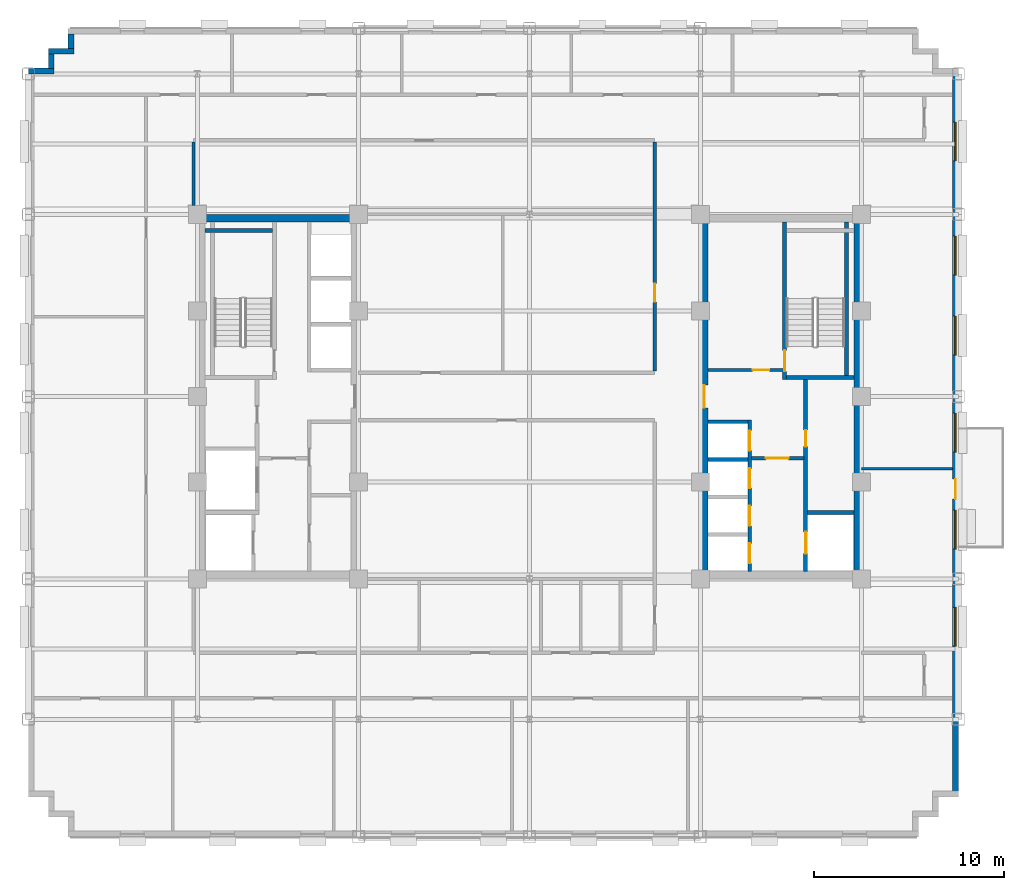
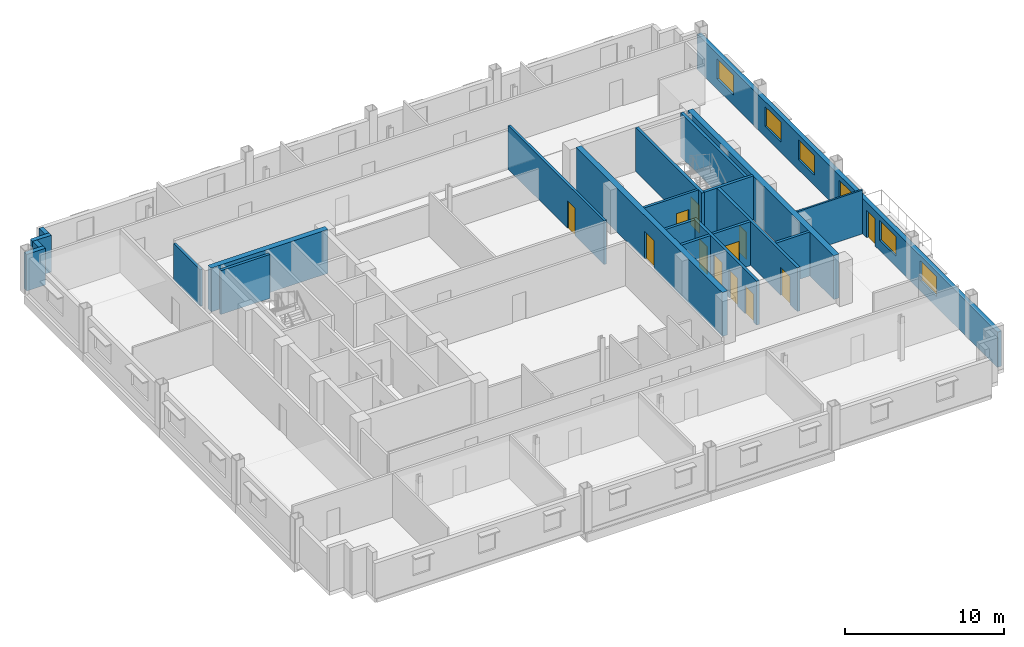
# One storey, part 9 of 14: 22 walls, 12 doors, 6 windows, 18 openings.
"""IFC4 building model written with IfcOpenShell, lengths in metres."""

from ifc_helpers import new_model, si_unit, direction, frame, frame_2d, origin, place, context, subcontext, project, spatial, rectangle, extrude, source, transform, mapped, material, layer, layer_set, type_object, type_shapes, element, fill, save


model = new_model("IFC4")

# Units and contexts
model_context = context("Model", 3, precision=1e-05, world=origin(), true_north=direction((0.0, 1.0)))
body_context = subcontext(model_context, "Body", "Model", "MODEL_VIEW")
ifc_project = project(units=[si_unit("LENGTHUNIT", "METRE"), si_unit("AREAUNIT", "SQUARE_METRE"), si_unit("VOLUMEUNIT", "CUBIC_METRE"), si_unit("PLANEANGLEUNIT", "RADIAN"), si_unit("MASSUNIT", "GRAM", prefix="KILO")], contexts=[model_context])

# Site, building, storey
site_placement = place(None, origin())
site = spatial("IfcSite", under=ifc_project, at=site_placement, CompositionType="ELEMENT")
building_placement = place(site_placement, origin())
building = spatial("IfcBuilding", under=site, at=building_placement, Name="Nuvemarco Arch Tower", CompositionType="ELEMENT")
storey_placement = place(building_placement, frame((0.0, 0.0, 178.60009765625)))
storey = spatial("IfcBuildingStorey", under=building, at=storey_placement, Name="L47", CompositionType="ELEMENT", Elevation=178.60009765625)

# Wall, openings, door, windows
ifc_material_1 = material(Name="Precast concrete C45/55", Category="concrete")
ifc_layer_1 = layer(ifc_material_1, 0.31005859375, Name="EW-UPP-310")
ifc_layer_set_1 = layer_set([ifc_layer_1], Name="Precast concrete C45/55")
wall_type_1 = type_object("IfcWallType", Name="EW-UPP-310", PredefinedType="STANDARD", material=ifc_layer_set_1)
wall_1_placement = place(storey_placement, frame((22.445068359375, -20.7939453125, 0.0), z_axis=(0.0, 0.0, 1.0), x_axis=(0.0, 1.0, 0.0)))
wall_1 = element("IfcWall", 1, at=wall_1_placement, inside=storey, type_object=wall_type_1, Name="L47 exterior precast facade wall 6", PredefinedType="STANDARD", context=body_context, shape_type="SweptSolid", body=[
    extrude(rectangle(XDim=37.787841796875, YDim=0.31005859375, at=frame_2d((18.89404296875, 0.0))), origin(), (0.0, 0.0, 1.0), 2.704833984375),
])
opening_1_placement = place(wall_1_placement, frame((16.444091796875, 0.0, 0.0), z_axis=(0.0, 0.0, 1.0), x_axis=(-1.0, 0.0, 0.0)))
opening_1 = element("IfcOpeningElement", 2, at=opening_1_placement, cuts=wall_1, Name="Opening ED-5", PredefinedType="OPENING", context=body_context, shape_type="SweptSolid", body=[
    extrude(rectangle(XDim=1.050048828125, YDim=2.10009765625, at=frame_2d((0.52490234375, 1.050048828125))), frame((0.0, 0.1650390625, 0.0), z_axis=(0.0, -1.0, 0.0), x_axis=(1.0, 0.0, 0.0)), (0.0, 0.0, 1.0), 0.330078125),
])
opening_2_placement = place(wall_1_placement, frame((7.643798828125, 0.0, 0.800048828125)))
opening_2 = element("IfcOpeningElement", 3, at=opening_2_placement, cuts=wall_1, Name="Opening WN-12", PredefinedType="OPENING", context=body_context, shape_type="SweptSolid", body=[
    extrude(rectangle(XDim=2.050048828125, YDim=1.52001953125, at=frame_2d((1.02490234375, 0.760009765625))), frame((0.0, 0.1650390625, 0.0), z_axis=(0.0, -1.0, 0.0), x_axis=(1.0, 0.0, 0.0)), (0.0, 0.0, 1.0), 0.330078125),
])
opening_3_placement = place(wall_1_placement, frame((12.75634765625, 0.0, 0.800048828125)))
opening_3 = element("IfcOpeningElement", 4, at=opening_3_placement, cuts=wall_1, Name="Opening WN-12", PredefinedType="OPENING", context=body_context, shape_type="SweptSolid", body=[
    extrude(rectangle(XDim=2.050048828125, YDim=1.52001953125, at=frame_2d((1.02490234375, 0.760009765625))), frame((0.0, 0.1650390625, 0.0), z_axis=(0.0, -1.0, 0.0), x_axis=(1.0, 0.0, 0.0)), (0.0, 0.0, 1.0), 0.330078125),
])
opening_4_placement = place(wall_1_placement, frame((17.868896484375, 0.0, 0.800048828125)))
opening_4 = element("IfcOpeningElement", 5, at=opening_4_placement, cuts=wall_1, Name="Opening WN-12", PredefinedType="OPENING", context=body_context, shape_type="SweptSolid", body=[
    extrude(rectangle(XDim=2.050048828125, YDim=1.52001953125, at=frame_2d((1.02490234375, 0.760009765625))), frame((0.0, 0.1650390625, 0.0), z_axis=(0.0, -1.0, 0.0), x_axis=(1.0, 0.0, 0.0)), (0.0, 0.0, 1.0), 0.330078125),
])
opening_5_placement = place(wall_1_placement, frame((22.981689453125, 0.0, 0.800048828125)))
opening_5 = element("IfcOpeningElement", 6, at=opening_5_placement, cuts=wall_1, Name="Opening WN-12", PredefinedType="OPENING", context=body_context, shape_type="SweptSolid", body=[
    extrude(rectangle(XDim=2.050048828125, YDim=1.52001953125, at=frame_2d((1.02490234375, 0.760009765625))), frame((0.0, 0.1650390625, 0.0), z_axis=(0.0, -1.0, 0.0), x_axis=(1.0, 0.0, 0.0)), (0.0, 0.0, 1.0), 0.330078125),
])
opening_6_placement = place(wall_1_placement, frame((27.194091796875, 0.0, 0.800048828125)))
opening_6 = element("IfcOpeningElement", 7, at=opening_6_placement, cuts=wall_1, Name="Opening WN-12", PredefinedType="OPENING", context=body_context, shape_type="SweptSolid", body=[
    extrude(rectangle(XDim=2.050048828125, YDim=1.52001953125, at=frame_2d((1.02490234375, 0.760009765625))), frame((0.0, 0.1650390625, 0.0), z_axis=(0.0, -1.0, 0.0), x_axis=(1.0, 0.0, 0.0)), (0.0, 0.0, 1.0), 0.330078125),
])
opening_7_placement = place(wall_1_placement, frame((33.206787109375, 0.0, 0.800048828125)))
opening_7 = element("IfcOpeningElement", 8, at=opening_7_placement, cuts=wall_1, Name="Opening WN-12", PredefinedType="OPENING", context=body_context, shape_type="SweptSolid", body=[
    extrude(rectangle(XDim=2.050048828125, YDim=1.52001953125, at=frame_2d((1.02490234375, 0.760009765625))), frame((0.0, 0.1650390625, 0.0), z_axis=(0.0, -1.0, 0.0), x_axis=(1.0, 0.0, 0.0)), (0.0, 0.0, 1.0), 0.330078125),
])
ifc_material_2 = material(Name="Anodised bronze and laminated glass", Category="glass")
door_type_1 = type_object("IfcDoorType", Name="DR-EXT-TERR", OperationType="NOTDEFINED", PredefinedType="DOOR", material=ifc_material_2)
shared_shape_1 = source(origin(), body_context, "Body", "SweptSolid", [
    extrude(rectangle(XDim=1.050048828125, YDim=2.10009765625, at=frame_2d((0.52490234375, 1.050048828125))), frame((0.0, 0.02490234375, 0.0), z_axis=(0.0, -1.0, 0.0), x_axis=(1.0, 0.0, 0.0)), (0.0, 0.0, 1.0), 0.050048828125),
])
type_shapes(door_type_1, [shared_shape_1])
door_1_placement = place(opening_1_placement, origin())
door_1 = element("IfcDoor", 9, at=door_1_placement, inside=storey, type_object=door_type_1, Name="L47 spiral terrace access door", OperationType="SINGLE_SWING_LEFT", OverallHeight=2.10009765625, OverallWidth=1.050048828125, PredefinedType="DOOR", context=body_context, shape_type="MappedRepresentation", body=[
    mapped(shared_shape_1, transform((0.0, 0.0, 0.0), scale=1.0)),
])
fill(opening_1, door_1)
ifc_material_3 = material(Name="Insulated solar-control glass", Category="glass")
window_type = type_object("IfcWindowType", Name="WN-SET-2050x1520", PartitioningType="DOUBLE_PANEL_VERTICAL", PredefinedType="WINDOW", material=ifc_material_3)
shared_shape_2 = source(origin(), body_context, "Body", "SweptSolid", [
    extrude(rectangle(XDim=2.050048828125, YDim=1.52001953125, at=frame_2d((1.02490234375, 0.760009765625))), frame((0.0, 0.030029296875, 0.0), z_axis=(0.0, -1.0, 0.0), x_axis=(1.0, 0.0, 0.0)), (0.0, 0.0, 1.0), 0.06005859375),
])
type_shapes(window_type, [shared_shape_2])
window_1_placement = place(opening_2_placement, origin())
window_1 = element("IfcWindow", 10, at=window_1_placement, inside=storey, type_object=window_type, Name="L47 punched facade window 2", OverallHeight=1.52001953125, OverallWidth=2.050048828125, PartitioningType="SINGLE_PANEL", PredefinedType="WINDOW", context=body_context, shape_type="MappedRepresentation", body=[
    mapped(shared_shape_2, transform((0.0, 0.0, 0.0), scale=1.0)),
])
fill(opening_2, window_1)
window_2_placement = place(opening_3_placement, origin())
window_2 = element("IfcWindow", 11, at=window_2_placement, inside=storey, type_object=window_type, Name="L47 punched facade window 3", OverallHeight=1.52001953125, OverallWidth=2.050048828125, PartitioningType="SINGLE_PANEL", PredefinedType="WINDOW", context=body_context, shape_type="MappedRepresentation", body=[
    mapped(shared_shape_2, transform((0.0, 0.0, 0.0), scale=1.0)),
])
fill(opening_3, window_2)
window_3_placement = place(opening_4_placement, origin())
window_3 = element("IfcWindow", 12, at=window_3_placement, inside=storey, type_object=window_type, Name="L47 punched facade window 4", OverallHeight=1.52001953125, OverallWidth=2.050048828125, PartitioningType="SINGLE_PANEL", PredefinedType="WINDOW", context=body_context, shape_type="MappedRepresentation", body=[
    mapped(shared_shape_2, transform((0.0, 0.0, 0.0), scale=1.0)),
])
fill(opening_4, window_3)
window_4_placement = place(opening_5_placement, origin())
window_4 = element("IfcWindow", 13, at=window_4_placement, inside=storey, type_object=window_type, Name="L47 punched facade window 5", OverallHeight=1.52001953125, OverallWidth=2.050048828125, PartitioningType="SINGLE_PANEL", PredefinedType="WINDOW", context=body_context, shape_type="MappedRepresentation", body=[
    mapped(shared_shape_2, transform((0.0, 0.0, 0.0), scale=1.0)),
])
fill(opening_5, window_4)
window_5_placement = place(opening_6_placement, origin())
window_5 = element("IfcWindow", 14, at=window_5_placement, inside=storey, type_object=window_type, Name="L47 punched facade window 6", OverallHeight=1.52001953125, OverallWidth=2.050048828125, PartitioningType="SINGLE_PANEL", PredefinedType="WINDOW", context=body_context, shape_type="MappedRepresentation", body=[
    mapped(shared_shape_2, transform((0.0, 0.0, 0.0), scale=1.0)),
])
fill(opening_6, window_5)
window_6_placement = place(opening_7_placement, origin())
window_6 = element("IfcWindow", 15, at=window_6_placement, inside=storey, type_object=window_type, Name="L47 punched facade window 7", OverallHeight=1.52001953125, OverallWidth=2.050048828125, PartitioningType="SINGLE_PANEL", PredefinedType="WINDOW", context=body_context, shape_type="MappedRepresentation", body=[
    mapped(shared_shape_2, transform((0.0, 0.0, 0.0), scale=1.0)),
])
fill(opening_7, window_6)

# Walls
wall_2_placement = place(storey_placement, frame((-24.14501953125, 18.345947265625, 0.0), z_axis=(0.0, 0.0, 1.0), x_axis=(0.0, 1.0, 0.0)))
element("IfcWall", 16, at=wall_2_placement, inside=storey, type_object=wall_type_1, Name="L47 exterior precast facade wall 12", PredefinedType="STANDARD", context=body_context, shape_type="SweptSolid", body=[
    extrude(rectangle(XDim=0.748046875, YDim=0.31005859375, at=frame_2d((0.3740234375, 0.0))), origin(), (0.0, 0.0, 1.0), 2.81591796875),
])
wall_3_placement = place(storey_placement, frame((-25.35009765625, 18.195068359375, 0.0), z_axis=(0.0, 0.0, 1.0), x_axis=(1.0, 0.0, 0.0)))
element("IfcWall", 17, at=wall_3_placement, inside=storey, type_object=wall_type_1, Name="L47 exterior precast facade wall 13", PredefinedType="STANDARD", context=body_context, shape_type="SweptSolid", body=[
    extrude(rectangle(XDim=1.360107421875, YDim=0.31005859375, at=frame_2d((0.68017578125, 0.0))), origin(), (0.0, 0.0, 1.0), 2.81591796875),
])
wall_4_placement = place(storey_placement, frame((-25.195068359375, 17.2958984375, 0.0), z_axis=(0.0, 0.0, 1.0), x_axis=(0.0, 1.0, 0.0)))
element("IfcWall", 18, at=wall_4_placement, inside=storey, type_object=wall_type_1, Name="L47 exterior precast facade wall 14", PredefinedType="STANDARD", context=body_context, shape_type="SweptSolid", body=[
    extrude(rectangle(XDim=0.748046875, YDim=0.31005859375, at=frame_2d((0.3740234375, 0.0))), origin(), (0.0, 0.0, 1.0), 2.81591796875),
])
wall_5_placement = place(storey_placement, frame((-26.39990234375, 17.14501953125, 0.0), z_axis=(0.0, 0.0, 1.0), x_axis=(1.0, 0.0, 0.0)))
element("IfcWall", 19, at=wall_5_placement, inside=storey, type_object=wall_type_1, Name="L47 exterior precast facade wall 15", PredefinedType="STANDARD", context=body_context, shape_type="SweptSolid", body=[
    extrude(rectangle(XDim=1.35986328125, YDim=0.31005859375, at=frame_2d((0.679931640625, 0.0))), origin(), (0.0, 0.0, 1.0), 2.81591796875),
])
ifc_material_4 = material(Name="Concrete C60/75", Category="concrete")
ifc_layer_2 = layer(ifc_material_4, 0.39990234375, Name="WL-CORE-400")
ifc_layer_set_2 = layer_set([ifc_layer_2], Name="Concrete C60/75")
wall_type_2 = type_object("IfcWallType", Name="WL-CORE-400", PredefinedType="SHEAR", material=ifc_layer_set_2)
wall_6_placement = place(storey_placement, frame((-17.5, 9.39990234375, 0.0), z_axis=(0.0, 0.0, 1.0), x_axis=(1.0, 0.0, 0.0)))
element("IfcWall", 20, at=wall_6_placement, inside=storey, type_object=wall_type_2, Name="L47 W-core shear wall N", PredefinedType="SHEAR", context=body_context, shape_type="SweptSolid", body=[
    extrude(rectangle(XDim=8.5, YDim=0.39990234375, at=frame_2d((4.25, 0.0))), origin(), (0.0, 0.0, 1.0), 3.369873046875),
])

# Wall, opening, door
wall_7_placement = place(storey_placement, frame((9.199951171875, -9.205078125, 0.0), z_axis=(0.0, 0.0, 1.0), x_axis=(0.0, 1.0, 0.0)))
wall_7 = element("IfcWall", 21, at=wall_7_placement, inside=storey, type_object=wall_type_2, Name="L47 E-core shear wall W", PredefinedType="SHEAR", context=body_context, shape_type="SweptSolid", body=[
    extrude(rectangle(XDim=18.41015625, YDim=0.39990234375, at=frame_2d((9.205078125, 0.0))), origin(), (0.0, 0.0, 1.0), 3.369873046875),
])
opening_8_placement = place(wall_7_placement, frame((8.60498046875, 0.0, 0.0)))
opening_8 = element("IfcOpeningElement", 22, at=opening_8_placement, cuts=wall_7, Name="Opening FD-2", PredefinedType="OPENING", context=body_context, shape_type="SweptSolid", body=[
    extrude(rectangle(XDim=1.199951171875, YDim=2.14990234375, at=frame_2d((0.60009765625, 1.074951171875))), frame((0.0, 0.2099609375, 0.0), z_axis=(0.0, -1.0, 0.0), x_axis=(1.0, 0.0, 0.0)), (0.0, 0.0, 1.0), 0.419921875),
])
ifc_material_5 = material(Name="Anodised steel fire door", Category="steel")
door_type_2 = type_object("IfcDoorType", Name="DR-FFLOB-FD", OperationType="NOTDEFINED", PredefinedType="DOOR", material=ifc_material_5)
shared_shape_3 = source(origin(), body_context, "Body", "SweptSolid", [
    extrude(rectangle(XDim=1.199951171875, YDim=2.14990234375, at=frame_2d((0.60009765625, 1.074951171875))), frame((0.0, 0.02490234375, 0.0), z_axis=(0.0, -1.0, 0.0), x_axis=(1.0, 0.0, 0.0)), (0.0, 0.0, 1.0), 0.050048828125),
])
type_shapes(door_type_2, [shared_shape_3])
door_2_placement = place(opening_8_placement, origin())
door_2 = element("IfcDoor", 23, at=door_2_placement, inside=storey, type_object=door_type_2, Name="L47 door FD-L47-ECORE-W", OperationType="SINGLE_SWING_RIGHT", OverallHeight=2.14990234375, OverallWidth=1.199951171875, PredefinedType="DOOR", context=body_context, shape_type="MappedRepresentation", body=[
    mapped(shared_shape_3, transform((0.0, 0.0, 0.0), scale=1.0)),
])
fill(opening_8, door_2)

# Wall
wall_8_placement = place(storey_placement, frame((17.300048828125, -9.205078125, 0.0), z_axis=(0.0, 0.0, 1.0), x_axis=(0.0, 1.0, 0.0)))
element("IfcWall", 24, at=wall_8_placement, inside=storey, type_object=wall_type_2, Name="L47 E-core shear wall E", PredefinedType="SHEAR", context=body_context, shape_type="SweptSolid", body=[
    extrude(rectangle(XDim=18.41015625, YDim=0.39990234375, at=frame_2d((9.205078125, 0.0))), origin(), (0.0, 0.0, 1.0), 3.369873046875),
])

# Wall, opening, door
ifc_material_6 = material(Name="Fire-rated gypsum drywall partition")
ifc_layer_3 = layer(ifc_material_6, 0.179931640625, Name="WL-CORR-180")
ifc_layer_set_3 = layer_set([ifc_layer_3], Name="Fire-rated gypsum drywall partition")
wall_type_3 = type_object("IfcWallType", Name="WL-CORR-180", PredefinedType="PARTITIONING", material=ifc_layer_set_3)
wall_9_placement = place(storey_placement, frame((9.39501953125, 1.39990234375, 0.0), z_axis=(0.0, 0.0, 1.0), x_axis=(1.0, 0.0, 0.0)))
wall_9 = element("IfcWall", 25, at=wall_9_placement, inside=storey, type_object=wall_type_3, Name="L47 interior wall IW-L47-EK-S", PredefinedType="PARTITIONING", context=body_context, shape_type="SweptSolid", body=[
    extrude(rectangle(XDim=3.949951171875, YDim=0.179931640625, at=frame_2d((1.97509765625, 0.0))), origin(), (0.0, 0.0, 1.0), 3.35986328125),
])
opening_9_placement = place(wall_9_placement, frame((2.364990234375, 0.0, 0.0)))
opening_9 = element("IfcOpeningElement", 26, at=opening_9_placement, cuts=wall_9, Name="Opening FD-4", PredefinedType="OPENING", context=body_context, shape_type="SweptSolid", body=[
    extrude(rectangle(XDim=0.8798828125, YDim=2.10009765625, at=frame_2d((0.43994140625, 1.050048828125))), frame((0.0, 0.099853515625, 0.0), z_axis=(0.0, -1.0, 0.0), x_axis=(1.0, 0.0, 0.0)), (0.0, 0.0, 1.0), 0.199951171875),
])
door_type_3 = type_object("IfcDoorType", Name="DR-RISER-FD", OperationType="NOTDEFINED", PredefinedType="DOOR", material=ifc_material_5)
shared_shape_4 = source(origin(), body_context, "Body", "SweptSolid", [
    extrude(rectangle(XDim=0.8798828125, YDim=2.10009765625, at=frame_2d((0.43994140625, 1.050048828125))), frame((0.0, 0.02490234375, 0.0), z_axis=(0.0, -1.0, 0.0), x_axis=(1.0, 0.0, 0.0)), (0.0, 0.0, 1.0), 0.050048828125),
])
type_shapes(door_type_3, [shared_shape_4])
door_3_placement = place(opening_9_placement, origin())
door_3 = element("IfcDoor", 27, at=door_3_placement, inside=storey, type_object=door_type_3, Name="L47 door FD-L47-EK1A", OperationType="SINGLE_SWING_LEFT", OverallHeight=2.10009765625, OverallWidth=0.8798828125, PredefinedType="DOOR", context=body_context, shape_type="MappedRepresentation", body=[
    mapped(shared_shape_4, transform((0.0, 0.0, 0.0), scale=1.0)),
])
fill(opening_9, door_3)

# Wall
wall_10_placement = place(storey_placement, frame((-17.699951171875, 10.071044921875, 0.0), z_axis=(0.0, 0.0, 1.0), x_axis=(0.0, 1.0, 0.0)))
element("IfcWall", 28, at=wall_10_placement, inside=storey, type_object=wall_type_3, Name="L47 interior wall IW-L47-018", PredefinedType="PARTITIONING", context=body_context, shape_type="SweptSolid", body=[
    extrude(rectangle(XDim=3.343017578125, YDim=0.179931640625, at=frame_2d((1.67138671875, 0.0))), origin(), (0.0, 0.0, 1.0), 2.81591796875),
])

# Wall, opening, door
wall_11_placement = place(storey_placement, frame((6.60009765625, 1.3359375, 0.0), z_axis=(0.0, 0.0, 1.0), x_axis=(0.0, 1.0, 0.0)))
wall_11 = element("IfcWall", 29, at=wall_11_placement, inside=storey, type_object=wall_type_3, Name="L47 interior wall IW-L47-030", PredefinedType="PARTITIONING", context=body_context, shape_type="SweptSolid", body=[
    extrude(rectangle(XDim=12.078125, YDim=0.179931640625, at=frame_2d((6.0390625, 0.0))), origin(), (0.0, 0.0, 1.0), 3.35986328125),
])
opening_10_placement = place(wall_11_placement, frame((3.652099609375, 0.0, 0.0)))
opening_10 = element("IfcOpeningElement", 30, at=opening_10_placement, cuts=wall_11, Name="Opening FD-5", PredefinedType="OPENING", context=body_context, shape_type="SweptSolid", body=[
    extrude(rectangle(XDim=0.9599609375, YDim=2.10009765625, at=frame_2d((0.47998046875, 1.050048828125))), frame((0.0, 0.099853515625, 0.0), z_axis=(0.0, -1.0, 0.0), x_axis=(1.0, 0.0, 0.0)), (0.0, 0.0, 1.0), 0.199951171875),
])
ifc_material_7 = material(Name="Timber fire door", Category="wood")
door_type_4 = type_object("IfcDoorType", Name="DR-CORR-FD", OperationType="NOTDEFINED", PredefinedType="DOOR", material=ifc_material_7)
shared_shape_5 = source(origin(), body_context, "Body", "SweptSolid", [
    extrude(rectangle(XDim=0.9599609375, YDim=2.10009765625, at=frame_2d((0.47998046875, 1.050048828125))), frame((0.0, 0.02490234375, 0.0), z_axis=(0.0, -1.0, 0.0), x_axis=(1.0, 0.0, 0.0)), (0.0, 0.0, 1.0), 0.050048828125),
])
type_shapes(door_type_4, [shared_shape_5])
door_4_placement = place(opening_10_placement, origin())
door_4 = element("IfcDoor", 31, at=door_4_placement, inside=storey, type_object=door_type_4, Name="L47 door DR-L47-C_N2", OperationType="SINGLE_SWING_RIGHT", OverallHeight=2.10009765625, OverallWidth=0.9599609375, PredefinedType="DOOR", context=body_context, shape_type="MappedRepresentation", body=[
    mapped(shared_shape_5, transform((0.0, 0.0, 0.0), scale=1.0)),
])
fill(opening_10, door_4)

# Walls
ifc_material_8 = material(Name="Glazed acoustic office partition")
ifc_layer_4 = layer(ifc_material_8, 0.1298828125, Name="WL-EXEC-130")
ifc_layer_set_4 = layer_set([ifc_layer_4], Name="Glazed acoustic office partition")
wall_type_4 = type_object("IfcWallType", Name="WL-EXEC-130", PredefinedType="PARTITIONING", material=ifc_layer_set_4)
wall_12_placement = place(storey_placement, frame((17.5, -3.800048828125, 0.0), z_axis=(0.0, 0.0, 1.0), x_axis=(1.0, 0.0, 0.0)))
element("IfcWall", 32, at=wall_12_placement, inside=storey, type_object=wall_type_4, Name="L47 interior wall IW-L47-006", PredefinedType="PARTITIONING", context=body_context, shape_type="SweptSolid", body=[
    extrude(rectangle(XDim=4.7900390625, YDim=0.1298828125, at=frame_2d((2.39501953125, 0.0))), origin(), (0.0, 0.0, 1.0), 3.35986328125),
])
ifc_material_9 = material(Name="Concrete C50/60", Category="concrete")
ifc_layer_5 = layer(ifc_material_9, 0.199951171875, Name="WL-SHAFT-220")
ifc_layer_set_5 = layer_set([ifc_layer_5], Name="Concrete C50/60")
wall_type_5 = type_object("IfcWallType", Name="WL-SHAFT-220", PredefinedType="SHEAR", material=ifc_layer_set_5)
wall_13_placement = place(storey_placement, frame((-17.10498046875, 8.75, 0.0), z_axis=(0.0, 0.0, 1.0), x_axis=(1.0, 0.0, 0.0)))
element("IfcWall", 33, at=wall_13_placement, inside=storey, type_object=wall_type_5, Name="L47 structural shaft wall SW-L47-W-ST1N", PredefinedType="SHEAR", context=body_context, shape_type="SweptSolid", body=[
    extrude(rectangle(XDim=3.570068359375, YDim=0.199951171875, at=frame_2d((1.78515625, 0.0))), origin(), (0.0, 0.0, 1.0), 3.369873046875),
])

# Wall, opening, door
wall_14_placement = place(storey_placement, frame((13.43994140625, 0.89990234375, 0.0), z_axis=(0.0, 0.0, 1.0), x_axis=(0.0, 1.0, 0.0)))
wall_14 = element("IfcWall", 34, at=wall_14_placement, inside=storey, type_object=wall_type_5, Name="L47 structural shaft wall SW-L47-E-ST2W", PredefinedType="SHEAR", context=body_context, shape_type="SweptSolid", body=[
    extrude(rectangle(XDim=8.30517578125, YDim=0.199951171875, at=frame_2d((4.152587890625, 0.0))), origin(), (0.0, 0.0, 1.0), 3.369873046875),
])
opening_11_placement = place(wall_14_placement, frame((0.429931640625, 0.0, 0.0)))
opening_11 = element("IfcOpeningElement", 35, at=opening_11_placement, cuts=wall_14, Name="Opening FD-1", PredefinedType="OPENING", context=body_context, shape_type="SweptSolid", body=[
    extrude(rectangle(XDim=1.10009765625, YDim=2.14990234375, at=frame_2d((0.550048828125, 1.074951171875))), frame((0.0, 0.10986328125, 0.0), z_axis=(0.0, -1.0, 0.0), x_axis=(1.0, 0.0, 0.0)), (0.0, 0.0, 1.0), 0.219970703125),
])
door_type_5 = type_object("IfcDoorType", Name="DR-STAIR-FD", OperationType="NOTDEFINED", PredefinedType="DOOR", material=ifc_material_5)
shared_shape_6 = source(origin(), body_context, "Body", "SweptSolid", [
    extrude(rectangle(XDim=1.10009765625, YDim=2.14990234375, at=frame_2d((0.550048828125, 1.074951171875))), frame((0.0, 0.02490234375, 0.0), z_axis=(0.0, -1.0, 0.0), x_axis=(1.0, 0.0, 0.0)), (0.0, 0.0, 1.0), 0.050048828125),
])
type_shapes(door_type_5, [shared_shape_6])
door_5_placement = place(opening_11_placement, origin())
door_5 = element("IfcDoor", 36, at=door_5_placement, inside=storey, type_object=door_type_5, Name="L47 door FD-L47-ST2", OperationType="SINGLE_SWING_RIGHT", OverallHeight=2.14990234375, OverallWidth=1.10009765625, PredefinedType="DOOR", context=body_context, shape_type="MappedRepresentation", body=[
    mapped(shared_shape_6, transform((0.0, 0.0, 0.0), scale=1.0)),
])
fill(opening_11, door_5)

# Walls
wall_15_placement = place(storey_placement, frame((13.534912109375, 1.0, 0.0), z_axis=(0.0, 0.0, 1.0), x_axis=(1.0, 0.0, 0.0)))
element("IfcWall", 37, at=wall_15_placement, inside=storey, type_object=wall_type_5, Name="L47 structural shaft wall SW-L47-E-ST2S", PredefinedType="SHEAR", context=body_context, shape_type="SweptSolid", body=[
    extrude(rectangle(XDim=3.570068359375, YDim=0.199951171875, at=frame_2d((1.78515625, 0.0))), origin(), (0.0, 0.0, 1.0), 3.369873046875),
])
wall_16_placement = place(storey_placement, frame((16.699951171875, 1.094970703125, 0.0), z_axis=(0.0, 0.0, 1.0), x_axis=(0.0, 1.0, 0.0)))
element("IfcWall", 38, at=wall_16_placement, inside=storey, type_object=wall_type_5, Name="L47 structural shaft wall SW-L47-E-ST2E", PredefinedType="SHEAR", context=body_context, shape_type="SweptSolid", body=[
    extrude(rectangle(XDim=8.110107421875, YDim=0.199951171875, at=frame_2d((4.05517578125, 0.0))), origin(), (0.0, 0.0, 1.0), 3.369873046875),
])

# Wall, openings, doors
wall_17_placement = place(storey_placement, frame((14.550048828125, -9.205078125, 0.0), z_axis=(0.0, 0.0, 1.0), x_axis=(0.0, 1.0, 0.0)))
wall_17 = element("IfcWall", 39, at=wall_17_placement, inside=storey, type_object=wall_type_5, Name="L47 structural shaft wall SW-L47-E-SHW", PredefinedType="SHEAR", context=body_context, shape_type="SweptSolid", body=[
    extrude(rectangle(XDim=10.110107421875, YDim=0.199951171875, at=frame_2d((5.05517578125, 0.0))), origin(), (0.0, 0.0, 1.0), 3.369873046875),
])
opening_12_placement = place(wall_17_placement, frame((6.56494140625, 0.0, 0.0)))
opening_12 = element("IfcOpeningElement", 40, at=opening_12_placement, cuts=wall_17, Name="Opening FD-4", PredefinedType="OPENING", context=body_context, shape_type="SweptSolid", body=[
    extrude(rectangle(XDim=0.8798828125, YDim=2.10009765625, at=frame_2d((0.43994140625, 1.050048828125))), frame((0.0, 0.10986328125, 0.0), z_axis=(0.0, -1.0, 0.0), x_axis=(1.0, 0.0, 0.0)), (0.0, 0.0, 1.0), 0.219970703125),
])
opening_13_placement = place(wall_17_placement, frame((0.929931640625, 0.0, 0.0)))
opening_13 = element("IfcOpeningElement", 41, at=opening_13_placement, cuts=wall_17, Name="Opening LD-2", PredefinedType="OPENING", context=body_context, shape_type="SweptSolid", body=[
    extrude(rectangle(XDim=1.14990234375, YDim=2.14990234375, at=frame_2d((0.574951171875, 1.074951171875))), frame((0.0, 0.10986328125, 0.0), z_axis=(0.0, -1.0, 0.0), x_axis=(1.0, 0.0, 0.0)), (0.0, 0.0, 1.0), 0.219970703125),
])
door_6_placement = place(opening_12_placement, origin())
door_6 = element("IfcDoor", 42, at=door_6_placement, inside=storey, type_object=door_type_3, Name="L47 door FD-L47-ERIS", OperationType="SINGLE_SWING_RIGHT", OverallHeight=2.10009765625, OverallWidth=0.8798828125, PredefinedType="DOOR", context=body_context, shape_type="MappedRepresentation", body=[
    mapped(shared_shape_4, transform((0.0, 0.0, 0.0), scale=1.0)),
])
fill(opening_12, door_6)
ifc_material_10 = material(Name="Stainless steel lift door", Category="steel")
door_type_6 = type_object("IfcDoorType", Name="DR-LIFT-FIRE", OperationType="DOUBLE_DOOR_SLIDING", PredefinedType="DOOR", material=ifc_material_10)
shared_shape_7 = source(origin(), body_context, "Body", "SweptSolid", [
    extrude(rectangle(XDim=1.14990234375, YDim=2.14990234375, at=frame_2d((0.574951171875, 1.074951171875))), frame((0.0, 0.02490234375, 0.0), z_axis=(0.0, -1.0, 0.0), x_axis=(1.0, 0.0, 0.0)), (0.0, 0.0, 1.0), 0.050048828125),
])
type_shapes(door_type_6, [shared_shape_7])
door_7_placement = place(opening_13_placement, origin())
door_7 = element("IfcDoor", 43, at=door_7_placement, inside=storey, type_object=door_type_6, Name="L47 Lift landing sliding door FFL-2", OperationType="DOUBLE_DOOR_SLIDING", OverallHeight=2.14990234375, OverallWidth=1.14990234375, PredefinedType="DOOR", context=body_context, shape_type="MappedRepresentation", body=[
    mapped(shared_shape_7, transform((0.0, 0.0, 0.0), scale=1.0)),
])
fill(opening_13, door_7)

# Wall
wall_18_placement = place(storey_placement, frame((14.64501953125, -6.10009765625, 0.0), z_axis=(0.0, 0.0, 1.0), x_axis=(1.0, 0.0, 0.0)))
element("IfcWall", 44, at=wall_18_placement, inside=storey, type_object=wall_type_5, Name="L47 structural shaft wall SW-L47-E-SH1", PredefinedType="SHEAR", context=body_context, shape_type="SweptSolid", body=[
    extrude(rectangle(XDim=2.4599609375, YDim=0.199951171875, at=frame_2d((1.22998046875, 0.0))), origin(), (0.0, 0.0, 1.0), 3.369873046875),
])

# Wall, openings, doors
wall_19_placement = place(storey_placement, frame((11.60009765625, -9.205078125, 0.0), z_axis=(0.0, 0.0, 1.0), x_axis=(0.0, 1.0, 0.0)))
wall_19 = element("IfcWall", 45, at=wall_19_placement, inside=storey, type_object=wall_type_5, Name="L47 structural shaft wall SW-L47-E-PME", PredefinedType="SHEAR", context=body_context, shape_type="SweptSolid", body=[
    extrude(rectangle(XDim=7.97509765625, YDim=0.199951171875, at=frame_2d((3.987548828125, 0.0))), origin(), (0.0, 0.0, 1.0), 3.369873046875),
])
opening_14_placement = place(wall_19_placement, frame((0.419921875, 0.0, 0.0)))
opening_14 = element("IfcOpeningElement", 46, at=opening_14_placement, cuts=wall_19, Name="Opening LD-1", PredefinedType="OPENING", context=body_context, shape_type="SweptSolid", body=[
    extrude(rectangle(XDim=1.050048828125, YDim=2.14990234375, at=frame_2d((0.52490234375, 1.074951171875))), frame((0.0, 0.10986328125, 0.0), z_axis=(0.0, -1.0, 0.0), x_axis=(1.0, 0.0, 0.0)), (0.0, 0.0, 1.0), 0.219970703125),
])
opening_15_placement = place(wall_19_placement, frame((2.39990234375, 0.0, 0.0)))
opening_15 = element("IfcOpeningElement", 47, at=opening_15_placement, cuts=wall_19, Name="Opening LD-1", PredefinedType="OPENING", context=body_context, shape_type="SweptSolid", body=[
    extrude(rectangle(XDim=1.050048828125, YDim=2.14990234375, at=frame_2d((0.52490234375, 1.074951171875))), frame((0.0, 0.10986328125, 0.0), z_axis=(0.0, -1.0, 0.0), x_axis=(1.0, 0.0, 0.0)), (0.0, 0.0, 1.0), 0.219970703125),
])
opening_16_placement = place(wall_19_placement, frame((4.3798828125, 0.0, 0.0)))
opening_16 = element("IfcOpeningElement", 48, at=opening_16_placement, cuts=wall_19, Name="Opening LD-1", PredefinedType="OPENING", context=body_context, shape_type="SweptSolid", body=[
    extrude(rectangle(XDim=1.050048828125, YDim=2.14990234375, at=frame_2d((0.52490234375, 1.074951171875))), frame((0.0, 0.10986328125, 0.0), z_axis=(0.0, -1.0, 0.0), x_axis=(1.0, 0.0, 0.0)), (0.0, 0.0, 1.0), 0.219970703125),
])
opening_17_placement = place(wall_19_placement, frame((6.360107421875, 0.0, 0.0)))
opening_17 = element("IfcOpeningElement", 49, at=opening_17_placement, cuts=wall_19, Name="Opening LD-1", PredefinedType="OPENING", context=body_context, shape_type="SweptSolid", body=[
    extrude(rectangle(XDim=1.050048828125, YDim=2.14990234375, at=frame_2d((0.52490234375, 1.074951171875))), frame((0.0, 0.10986328125, 0.0), z_axis=(0.0, -1.0, 0.0), x_axis=(1.0, 0.0, 0.0)), (0.0, 0.0, 1.0), 0.219970703125),
])
door_type_7 = type_object("IfcDoorType", Name="DR-LIFT-PASS", OperationType="DOUBLE_DOOR_SLIDING", PredefinedType="DOOR", material=ifc_material_10)
shared_shape_8 = source(origin(), body_context, "Body", "SweptSolid", [
    extrude(rectangle(XDim=1.050048828125, YDim=2.14990234375, at=frame_2d((0.52490234375, 1.074951171875))), frame((0.0, 0.02490234375, 0.0), z_axis=(0.0, -1.0, 0.0), x_axis=(1.0, 0.0, 0.0)), (0.0, 0.0, 1.0), 0.050048828125),
])
type_shapes(door_type_7, [shared_shape_8])
door_8_placement = place(opening_14_placement, origin())
door_8 = element("IfcDoor", 50, at=door_8_placement, inside=storey, type_object=door_type_7, Name="L47 Lift landing sliding door PM-1", OperationType="DOUBLE_DOOR_SLIDING", OverallHeight=2.14990234375, OverallWidth=1.050048828125, PredefinedType="DOOR", context=body_context, shape_type="MappedRepresentation", body=[
    mapped(shared_shape_8, transform((0.0, 0.0, 0.0), scale=1.0)),
])
fill(opening_14, door_8)
door_9_placement = place(opening_15_placement, origin())
door_9 = element("IfcDoor", 51, at=door_9_placement, inside=storey, type_object=door_type_7, Name="L47 Lift landing sliding door PM-2", OperationType="DOUBLE_DOOR_SLIDING", OverallHeight=2.14990234375, OverallWidth=1.050048828125, PredefinedType="DOOR", context=body_context, shape_type="MappedRepresentation", body=[
    mapped(shared_shape_8, transform((0.0, 0.0, 0.0), scale=1.0)),
])
fill(opening_15, door_9)
door_10_placement = place(opening_16_placement, origin())
door_10 = element("IfcDoor", 52, at=door_10_placement, inside=storey, type_object=door_type_7, Name="L47 Lift landing sliding door PM-3", OperationType="DOUBLE_DOOR_SLIDING", OverallHeight=2.14990234375, OverallWidth=1.050048828125, PredefinedType="DOOR", context=body_context, shape_type="MappedRepresentation", body=[
    mapped(shared_shape_8, transform((0.0, 0.0, 0.0), scale=1.0)),
])
fill(opening_16, door_10)
door_11_placement = place(opening_17_placement, origin())
door_11 = element("IfcDoor", 53, at=door_11_placement, inside=storey, type_object=door_type_7, Name="L47 Lift landing sliding door PM-4", OperationType="DOUBLE_DOOR_SLIDING", OverallHeight=2.14990234375, OverallWidth=1.050048828125, PredefinedType="DOOR", context=body_context, shape_type="MappedRepresentation", body=[
    mapped(shared_shape_8, transform((0.0, 0.0, 0.0), scale=1.0)),
])
fill(opening_17, door_11)

# Wall, opening, door
wall_20_placement = place(storey_placement, frame((11.695068359375, -3.25, 0.0), z_axis=(0.0, 0.0, 1.0), x_axis=(1.0, 0.0, 0.0)))
wall_20 = element("IfcWall", 54, at=wall_20_placement, inside=storey, type_object=wall_type_5, Name="L47 structural shaft wall SW-L47-E-FFN", PredefinedType="SHEAR", context=body_context, shape_type="SweptSolid", body=[
    extrude(rectangle(XDim=2.760009765625, YDim=0.199951171875, at=frame_2d((1.3798828125, 0.0))), origin(), (0.0, 0.0, 1.0), 3.369873046875),
])
opening_18_placement = place(wall_20_placement, frame((0.7548828125, 0.0, 0.0)))
opening_18 = element("IfcOpeningElement", 55, at=opening_18_placement, cuts=wall_20, Name="Opening FD-2", PredefinedType="OPENING", context=body_context, shape_type="SweptSolid", body=[
    extrude(rectangle(XDim=1.199951171875, YDim=2.14990234375, at=frame_2d((0.60009765625, 1.074951171875))), frame((0.0, 0.10986328125, 0.0), z_axis=(0.0, -1.0, 0.0), x_axis=(1.0, 0.0, 0.0)), (0.0, 0.0, 1.0), 0.219970703125),
])
door_12_placement = place(opening_18_placement, origin())
door_12 = element("IfcDoor", 56, at=door_12_placement, inside=storey, type_object=door_type_2, Name="L47 door FD-L47-EFF2", OperationType="SINGLE_SWING_RIGHT", OverallHeight=2.14990234375, OverallWidth=1.199951171875, PredefinedType="DOOR", context=body_context, shape_type="MappedRepresentation", body=[
    mapped(shared_shape_3, transform((0.0, 0.0, 0.0), scale=1.0)),
])
fill(opening_18, door_12)

# Walls
for number, where, z_axis, x_axis, name in (
    (57, (9.39501953125, -3.31005859375, 0.0), (0.0, 0.0, 1.0), (1.0, 0.0, 0.0), "L47 structural shaft wall SW-L47-E-PMD3"),
    (58, (9.39501953125, -1.330078125, 0.0), (0.0, 0.0, 1.0), (1.0, 0.0, 0.0), "L47 structural shaft wall SW-L47-E-PMD4"),
):
    element("IfcWall", number, at=place(storey_placement, frame(where, z_axis=z_axis, x_axis=x_axis)), inside=storey, type_object=wall_type_5, Name=name, PredefinedType="SHEAR", context=body_context, shape_type="SweptSolid", body=[
        extrude(rectangle(XDim=2.10986328125, YDim=0.199951171875, at=frame_2d((1.054931640625, 0.0))), origin(), (0.0, 0.0, 1.0), 3.369873046875),
    ])

save(model, "model.ifc")
